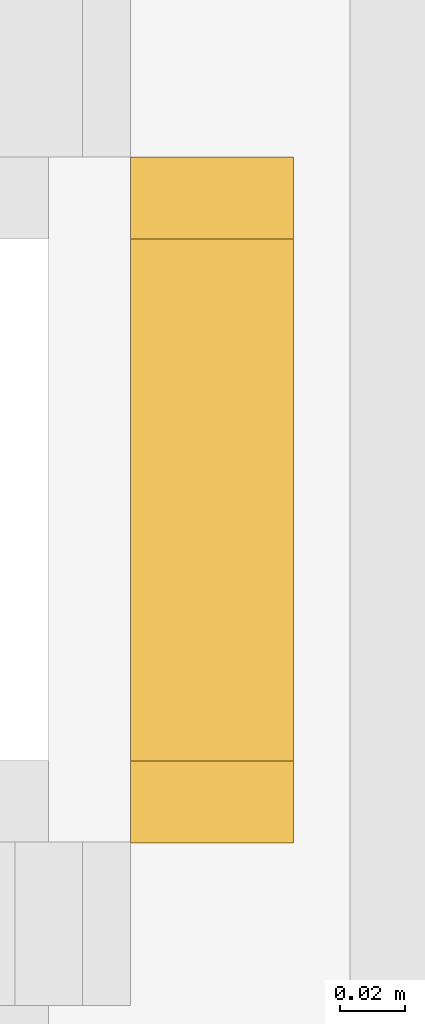
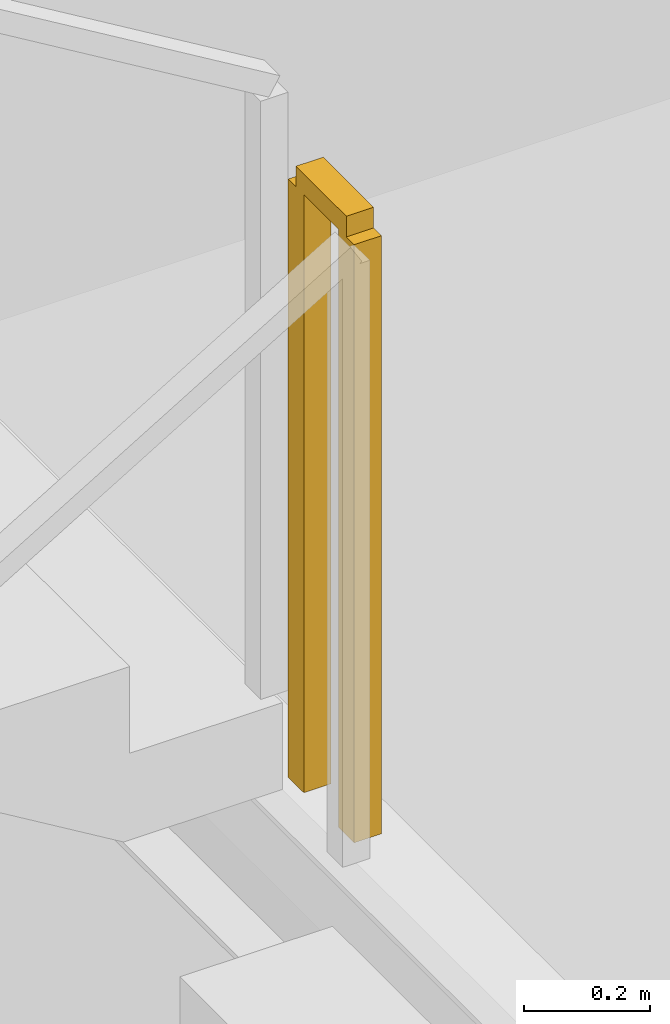
# One storey, part 19 of 19: 1 railing.
"""IFC4 building model written with IfcOpenShell, lengths in metres."""

from ifc_helpers import new_model, si_unit, direction, frame, origin, origin_2d, place, context, subcontext, project, spatial, rectangle, extrude, material, type_object, element, save


model = new_model("IFC4")

# Units and contexts
model_context = context("Model", 3, precision=1e-05, world=origin(), true_north=direction((0.0, 1.0)))
body_context = subcontext(model_context, "Body", "Model", "MODEL_VIEW")
ifc_project = project(units=[si_unit("LENGTHUNIT", "METRE"), si_unit("AREAUNIT", "SQUARE_METRE"), si_unit("VOLUMEUNIT", "CUBIC_METRE"), si_unit("PLANEANGLEUNIT", "RADIAN"), si_unit("MASSUNIT", "GRAM", prefix="KILO")], contexts=[model_context])

# Site, building, storey
site_placement = place(None, origin())
site = spatial("IfcSite", under=ifc_project, at=site_placement, CompositionType="ELEMENT")
building_placement = place(site_placement, origin())
building = spatial("IfcBuilding", under=site, at=building_placement, Name="Qianvela Tower", CompositionType="ELEMENT")
storey_placement = place(building_placement, frame((0.0, 0.0, 340.699951171875)))
storey = spatial("IfcBuildingStorey", under=building, at=storey_placement, Name="L88", CompositionType="ELEMENT", Elevation=340.699951171875)

# Railing
ifc_material = material(Name="Painted Tubular Steel Q355B", Category="steel")
railing_type = type_object("IfcRailingType", Name="RL-STAIR-GUARD-1200", PredefinedType="GUARDRAIL", material=ifc_material)
railing_placement = place(storey_placement, frame((35.050048828125, 30.889892578125, 1.85009765625)))
element("IfcRailing", 1, at=railing_placement, inside=storey, type_object=railing_type, Name="L88 ST-1 stair guard 2", PredefinedType="GUARDRAIL", context=body_context, shape_type="SweptSolid", body=[
    extrude(rectangle(XDim=0.050048828125, YDim=0.0400390625, at=origin_2d()), frame((0.0, 0.0, 1.179931640625), z_axis=(0.0, 1.0, 0.0), x_axis=(-1.0, 0.0, 0.0)), (0.0, 0.0, 1.0), 0.16015625),
    extrude(rectangle(XDim=0.050048828125, YDim=0.050048828125, at=origin_2d()), origin(), (0.0, 0.0, 1.0), 1.159912109375),
    extrude(rectangle(XDim=0.050048828125, YDim=0.050048828125, at=origin_2d()), frame((0.0, 0.16015625, 0.0)), (0.0, 0.0, 1.0), 1.159912109375),
])

save(model, "model.ifc")
